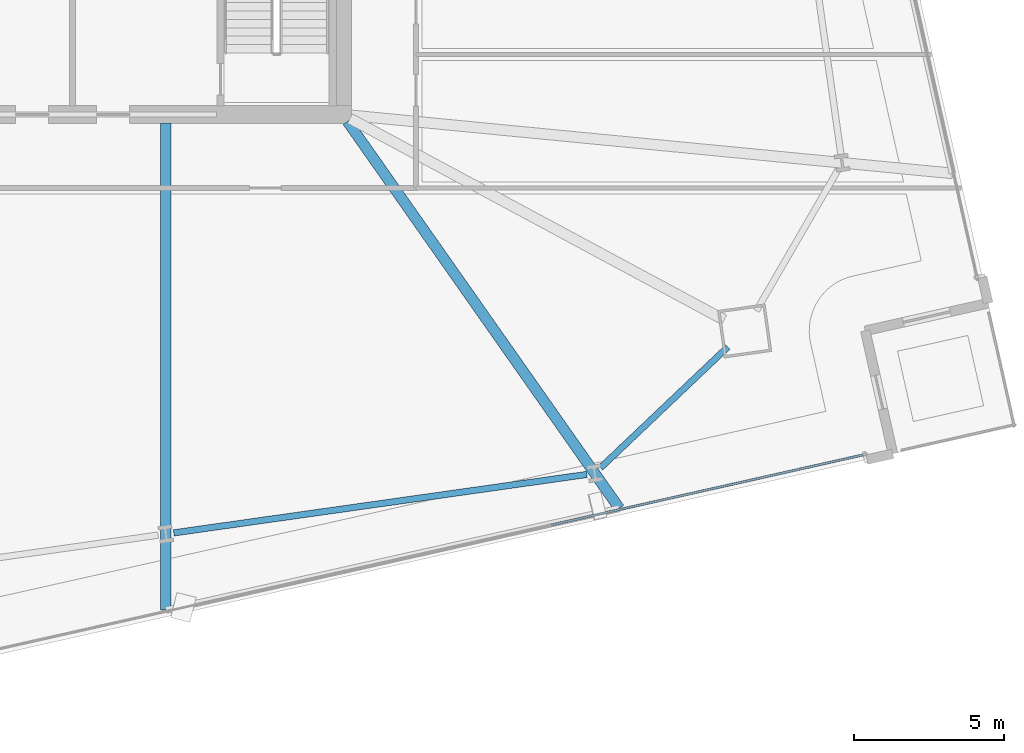
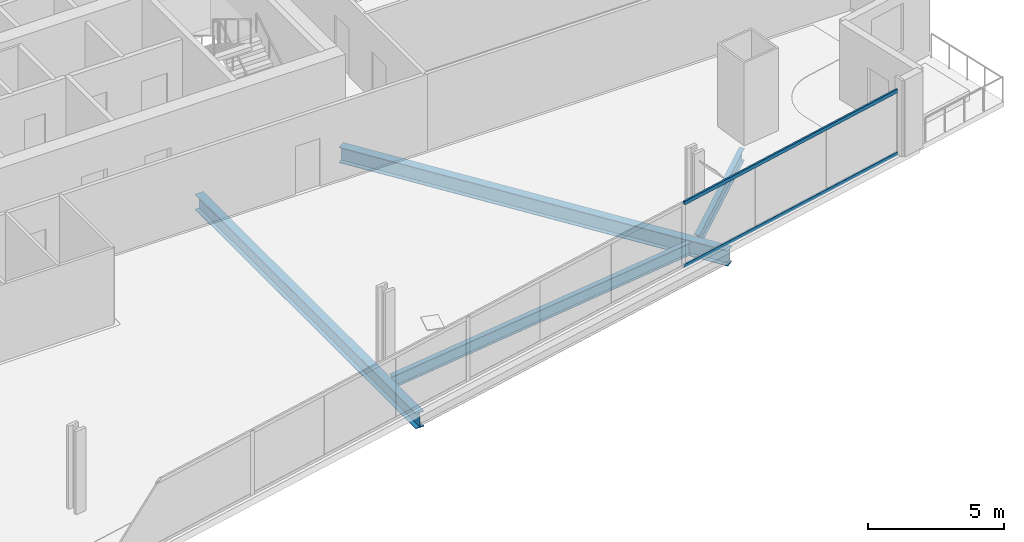
# One storey, part 8 of 32: 4 beams, 2 members, 1 element without a shape of its own.
"""IFC4 building model written with IfcOpenShell, lengths in metres."""

from ifc_helpers import new_model, si_unit, direction, frame, origin, origin_2d, place, context, subcontext, project, spatial, hollow_rectangle, i_section, extrude, material, material_profile, profile_set, type_object, element, aggregate, save


model = new_model("IFC4")

# Units and contexts
model_context = context("Model", 3, precision=1e-05, world=origin(), true_north=direction((0.0, 1.0)))
body_context = subcontext(model_context, "Body", "Model", "MODEL_VIEW")
ifc_project = project(units=[si_unit("LENGTHUNIT", "METRE"), si_unit("AREAUNIT", "SQUARE_METRE"), si_unit("VOLUMEUNIT", "CUBIC_METRE"), si_unit("PLANEANGLEUNIT", "RADIAN"), si_unit("MASSUNIT", "GRAM", prefix="KILO")], contexts=[model_context])

# Site, building, storey
site_placement = place(None, origin())
site = spatial("IfcSite", under=ifc_project, at=site_placement, CompositionType="ELEMENT")
building_placement = place(site_placement, origin())
building = spatial("IfcBuilding", under=site, at=building_placement, Name="Haldenkirk Collegiate Tower", CompositionType="ELEMENT")
storey_placement = place(building_placement, frame((0.0, 0.0, 70.199951171875)))
storey = spatial("IfcBuildingStorey", under=building, at=storey_placement, Name="L16", CompositionType="ELEMENT", Elevation=70.199951171875)

# Beams
ifc_material_1 = material(Name="Steel ASTM A992 Grade 50", Category="steel")
ifc_material_profile_1 = material_profile(ifc_material_1, i_section(OverallWidth=0.35498046875, OverallDepth=0.696044921875, WebThickness=0.015380859375, FlangeThickness=0.02490234375, at=origin_2d()), Name="W27X146")
ifc_profile_set_1 = profile_set([ifc_material_profile_1], Name="Steel ASTM A992 Grade 50")
beam_type_1 = type_object("IfcBeamType", Name="BM-GIRDER-W27X146", PredefinedType="BEAM", material=ifc_profile_set_1)
beam_1_placement = place(storey_placement, frame((39.10888671875, 1.480712890625, -0.657958984375), z_axis=(0.0, 1.0, 0.0), x_axis=(-1.0, 0.0, 0.0)))
element("IfcBeam", 1, at=beam_1_placement, inside=storey, type_object=beam_type_1, Name="L16 primary floor girder 06", PredefinedType="BEAM", context=body_context, shape_type="SweptSolid", body=[
    extrude(i_section(OverallWidth=0.35498046875, OverallDepth=0.696044921875, WebThickness=0.015380859375, FlangeThickness=0.02490234375, at=origin_2d()), origin(), (0.0, 0.0, 1.0), 16.2392578125),
])
beam_2_placement = place(storey_placement, frame((54.222900390625, 4.872802734375, -0.657958984375), z_axis=(-0.574878261877, 0.818238952887, 0.0), x_axis=(-0.818238952887, -0.574878261877, 0.0)))
element("IfcBeam", 2, at=beam_2_placement, inside=storey, type_object=beam_type_1, Name="L16 primary floor girder 07", PredefinedType="BEAM", context=body_context, shape_type="SweptSolid", body=[
    extrude(i_section(OverallWidth=0.35498046875, OverallDepth=0.696044921875, WebThickness=0.015380859375, FlangeThickness=0.02490234375, at=origin_2d()), origin(), (0.0, 0.0, 1.0), 15.763427734375),
])
ifc_material_profile_2 = material_profile(ifc_material_1, i_section(OverallWidth=0.2119140625, OverallDepth=0.5439453125, WebThickness=0.01318359375, FlangeThickness=0.021240234375, at=origin_2d()), Name="W21X83")
ifc_profile_set_2 = profile_set([ifc_material_profile_2], Name="Steel ASTM A992 Grade 50")
beam_type_2 = type_object("IfcBeamType", Name="BM-SPANDREL-W21X83", PredefinedType="SPANDREL", material=ifc_profile_set_2)
beam_3_placement = place(storey_placement, frame((39.37060546875, 4.055908203125, -0.58203125), z_axis=(0.990146197746, 0.14003752029, 0.0), x_axis=(-0.14003752029, 0.990146197746, 0.0)))
element("IfcBeam", 3, at=beam_3_placement, inside=storey, type_object=beam_type_2, Name="L16 perimeter spandrel beam 03", PredefinedType="SPANDREL", context=body_context, shape_type="SweptSolid", body=[
    extrude(i_section(OverallWidth=0.2119140625, OverallDepth=0.5439453125, WebThickness=0.01318359375, FlangeThickness=0.021240234375, at=origin_2d()), origin(), (0.0, 0.0, 1.0), 13.906982421875),
])
beam_4_placement = place(storey_placement, frame((53.594482421875, 6.222412109375, -0.58203125), z_axis=(0.725113023209, 0.688629874151, 0.0), x_axis=(-0.688629874151, 0.725113023209, 0.0)))
element("IfcBeam", 4, at=beam_4_placement, inside=storey, type_object=beam_type_2, Name="L16 perimeter spandrel beam 04", PredefinedType="SPANDREL", context=body_context, shape_type="SweptSolid", body=[
    extrude(i_section(OverallWidth=0.2119140625, OverallDepth=0.5439453125, WebThickness=0.01318359375, FlangeThickness=0.021240234375, at=origin_2d()), origin(), (0.0, 0.0, 1.0), 5.8486328125),
])

# Curtain wall, members
ifc_material_2 = material(Name="Anodised architectural bronze aluminium", Category="aluminium")
curtain_wall_type = type_object("IfcCurtainWallType", Name="CW-SYS2-CONCAVE", PredefinedType="USERDEFINED", material=ifc_material_2)
curtain_wall_placement = place(storey_placement, origin())
curtain_wall = element("IfcCurtainWall", 5, at=curtain_wall_placement, inside=storey, type_object=curtain_wall_type, Name="L16 South concave recessed bronze-anodised curtain wall", ObjectType="UNITISED CURTAIN WALL", PredefinedType="USERDEFINED")
ifc_material_profile_3 = material_profile(ifc_material_2, hollow_rectangle(XDim=0.074951171875, YDim=0.159912109375, WallThickness=0.0048828125, at=origin_2d()), Name="CW-TRN-02")
ifc_profile_set_3 = profile_set([ifc_material_profile_3], Name="Anodised architectural bronze aluminium")
member_type = type_object("IfcMemberType", Name="CW-TRN-02", PredefinedType="USERDEFINED", material=ifc_profile_set_3)
member_1_placement = place(storey_placement, frame((62.350830078125, 6.656005859375, 0.03759765625), z_axis=(-0.975726936991, -0.218990740511, 0.0), x_axis=(0.218990740511, -0.975726936991, 0.0)))
member_1 = element("IfcMember", 6, at=member_1_placement, type_object=member_type, Name="CW-02 transom 1.1", ObjectType="TRANSOM", PredefinedType="USERDEFINED", context=body_context, shape_type="SweptSolid", body=[
    extrude(hollow_rectangle(XDim=0.074951171875, YDim=0.159912109375, WallThickness=0.0048828125, at=origin_2d()), origin(), (0.0, 0.0, 1.0), 10.662353515625),
])
member_2_placement = place(storey_placement, frame((62.350830078125, 6.656005859375, 2.853515625), z_axis=(-0.975726936991, -0.218990740511, 0.0), x_axis=(0.218990740511, -0.975726936991, 0.0)))
member_2 = element("IfcMember", 7, at=member_2_placement, type_object=member_type, Name="CW-02 transom 1.2", ObjectType="TRANSOM", PredefinedType="USERDEFINED", context=body_context, shape_type="SweptSolid", body=[
    extrude(hollow_rectangle(XDim=0.074951171875, YDim=0.159912109375, WallThickness=0.0048828125, at=origin_2d()), origin(), (0.0, 0.0, 1.0), 10.662353515625),
])
aggregate(curtain_wall, [member_1, member_2])

save(model, "model.ifc")
